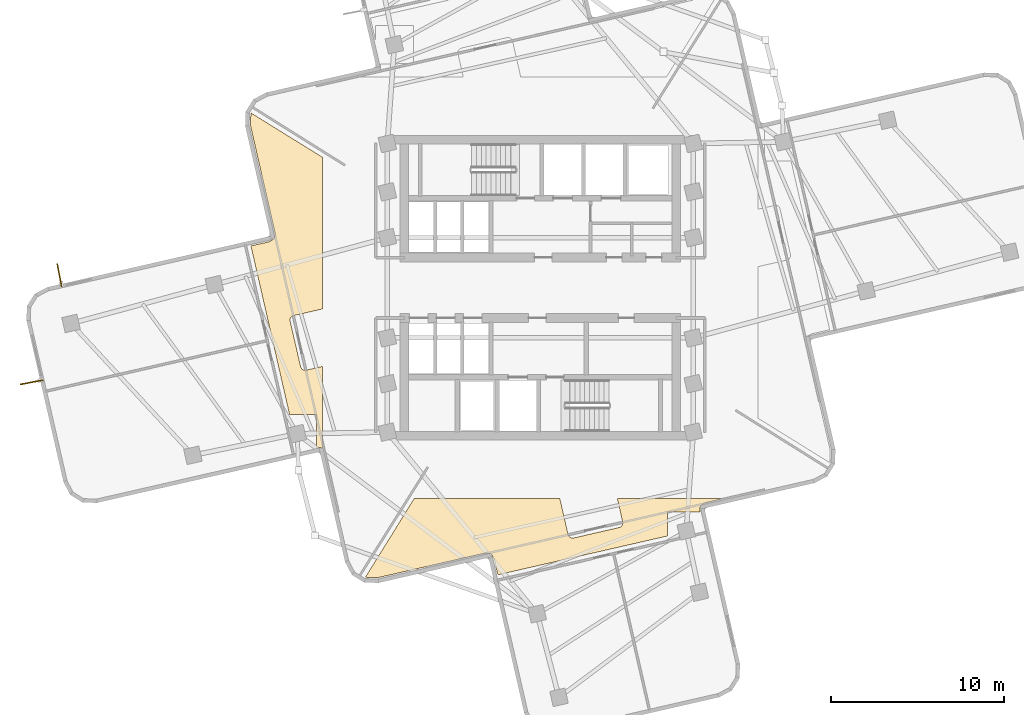
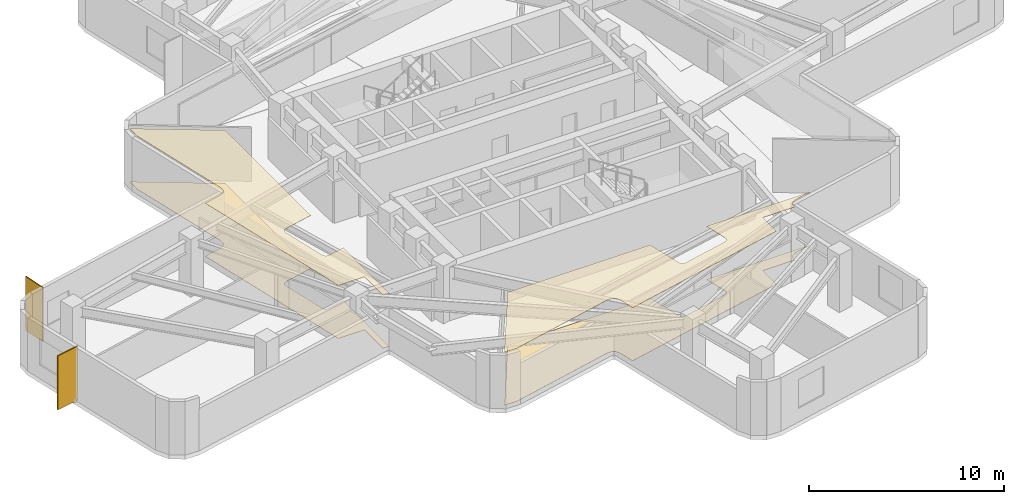
# One storey, part 6 of 8: 4 coverings, 2 shading devices.
"""IFC4 building model written with IfcOpenShell, lengths in metres."""

from ifc_helpers import new_model, si_unit, direction, frame, origin, origin_2d, place, context, subcontext, project, spatial, polyline, rectangle, outline, extrude, material, layer, layer_set, type_object, element, save


model = new_model("IFC4")

# Units and contexts
model_context = context("Model", 3, precision=1e-05, world=origin(), true_north=direction((0.0, 1.0)))
body_context = subcontext(model_context, "Body", "Model", "MODEL_VIEW")
ifc_project = project(units=[si_unit("LENGTHUNIT", "METRE"), si_unit("AREAUNIT", "SQUARE_METRE"), si_unit("VOLUMEUNIT", "CUBIC_METRE"), si_unit("PLANEANGLEUNIT", "RADIAN"), si_unit("MASSUNIT", "GRAM", prefix="KILO")], contexts=[model_context])

# Site, building, storey
site_placement = place(None, origin())
site = spatial("IfcSite", under=ifc_project, at=site_placement, CompositionType="ELEMENT")
building_placement = place(site_placement, origin())
building = spatial("IfcBuilding", under=site, at=building_placement, Name="Solmarez Civic Tower", CompositionType="ELEMENT")
storey_placement = place(building_placement, frame((0.0, 0.0, 123.47998046875)))
storey = spatial("IfcBuildingStorey", under=building, at=storey_placement, Name="L32", CompositionType="ELEMENT", Elevation=123.47998046875)

# Coverings
ifc_material_1 = material(Name="Perforated Mineral-Fibre Acoustic Ceiling")
ifc_layer_1 = layer(ifc_material_1, 0.02490234375)
ifc_layer_set_1 = layer_set([ifc_layer_1], Name="Perforated Mineral-Fibre Acoustic Ceiling")
covering_type_1 = type_object("IfcCoveringType", Name="COV-CEIL-ACOUSTIC", PredefinedType="CEILING", material=ifc_layer_set_1)
covering_1_placement = place(storey_placement, frame((0.0, 0.0, 3.31494140625)))
element("IfcCovering", 1, at=covering_1_placement, inside=storey, type_object=covering_type_1, Name="L32 Suspended Acoustic Ceiling 2", PredefinedType="CEILING", context=body_context, shape_type="SweptSolid", body=[
    extrude(outline(polyline([(-3.26708984375, -15.367919921875), (-3.25390625, -15.364013671875), (-3.23095703125, -15.360107421875), (-3.20703125, -15.35888671875), (-3.193115234375, -15.35888671875), (-3.18505859375, -15.35888671875), (-3.012939453125, -15.364990234375), (-2.993896484375, -15.366943359375), (-2.98193359375, -15.367919921875), (-2.97509765625, -15.368896484375), (-2.952880859375, -15.3740234375), (-2.945068359375, -15.3759765625), (-2.927978515625, -15.381103515625), (-2.910888671875, -15.386962890625), (-2.89697265625, -15.39306640625), (-2.87890625, -15.402099609375), (-2.862060546875, -15.412109375), (-2.85595703125, -15.416015625), (-2.8369140625, -15.429931640625), (-2.8310546875, -15.43505859375), (-2.824951171875, -15.43994140625), (-2.81005859375, -15.452880859375), (-2.797119140625, -15.468017578125), (-2.7919921875, -15.47412109375), (-2.778076171875, -15.492919921875), (-2.77001953125, -15.5048828125), (-2.759033203125, -15.52392578125), (-2.677978515625, -15.676025390625), (-2.669921875, -15.69189453125), (-2.6669921875, -15.698974609375), (-2.659912109375, -15.716064453125), (-2.657958984375, -15.721923828125), (-2.655029296875, -15.73193359375), (-2.653076171875, -15.739013671875), (-2.65087890625, -15.75), (-2.455078125, -16.60693359375), (7.344970703125, -14.363037109375), (7.344970703125, -12.964111328125), (9.23388671875, -12.962890625), (9.23388671875, -12.9560546875), (9.23388671875, -12.947998046875), (9.239990234375, -12.77587890625), (9.241943359375, -12.7529296875), (9.242919921875, -12.748046875), (9.243896484375, -12.741943359375), (9.24609375, -12.72509765625), (9.25, -12.708984375), (9.251953125, -12.701904296875), (9.261962890625, -12.675048828125), (9.264892578125, -12.66796875), (9.26806640625, -12.660888671875), (9.277099609375, -12.64306640625), (9.287109375, -12.6259765625), (9.291015625, -12.6201171875), (9.304931640625, -12.60107421875), (9.31005859375, -12.594970703125), (9.31494140625, -12.589111328125), (9.327880859375, -12.573974609375), (9.343017578125, -12.56103515625), (9.34912109375, -12.555908203125), (9.367919921875, -12.5419921875), (9.3740234375, -12.5380859375), (9.386962890625, -12.530029296875), (9.39404296875, -12.52587890625), (9.39990234375, -12.52294921875), (9.552001953125, -12.44189453125), (9.556884765625, -12.43896484375), (9.56298828125, -12.43603515625), (9.591064453125, -12.424072265625), (9.596923828125, -12.422119140625), (9.60693359375, -12.4189453125), (9.614013671875, -12.4169921875), (9.625, -12.4150390625), (10.56201171875, -12.199951171875), (4.45703125, -12.199951171875), (4.764892578125, -13.548095703125), (4.76708984375, -13.553955078125), (4.76806640625, -13.55908203125), (4.77099609375, -13.580078125), (4.77197265625, -13.60205078125), (4.77197265625, -13.611083984375), (4.77099609375, -13.633056640625), (4.76806640625, -13.654052734375), (4.76708984375, -13.658935546875), (4.76611328125, -13.6640625), (4.759033203125, -13.69091796875), (4.756103515625, -13.699951171875), (4.7470703125, -13.721923828125), (4.736083984375, -13.742919921875), (4.73291015625, -13.748046875), (4.721923828125, -13.763916015625), (4.7109375, -13.778076171875), (4.7060546875, -13.783935546875), (4.697998046875, -13.7939453125), (4.68408203125, -13.80810546875), (4.66796875, -13.821044921875), (4.652099609375, -13.8330078125), (4.64404296875, -13.837890625), (4.615966796875, -13.85205078125), (4.60693359375, -13.85595703125), (4.60009765625, -13.85888671875), (4.594970703125, -13.861083984375), (4.5791015625, -13.866943359375), (4.56201171875, -13.87109375), (1.929931640625, -14.47412109375), (1.924072265625, -14.47607421875), (1.9189453125, -14.47705078125), (1.89794921875, -14.47998046875), (1.8759765625, -14.48095703125), (1.866943359375, -14.48095703125), (1.844970703125, -14.47998046875), (1.823974609375, -14.47705078125), (1.819091796875, -14.47607421875), (1.81396484375, -14.47509765625), (1.787109375, -14.468017578125), (1.778076171875, -14.465087890625), (1.756103515625, -14.4560546875), (1.735107421875, -14.445068359375), (1.72998046875, -14.44189453125), (1.714111328125, -14.430908203125), (1.699951171875, -14.419921875), (1.694091796875, -14.4150390625), (1.68408203125, -14.406982421875), (1.669921875, -14.39306640625), (1.656982421875, -14.376953125), (1.64501953125, -14.361083984375), (1.639892578125, -14.35302734375), (1.6259765625, -14.324951171875), (1.6220703125, -14.31591796875), (1.618896484375, -14.30908203125), (1.616943359375, -14.303955078125), (1.611083984375, -14.2880859375), (1.60693359375, -14.27099609375), (1.132080078125, -12.199951171875), (-7.301025390625, -12.199951171875), (-10.116943359375, -16.742919921875), (-10.111083984375, -16.74609375), (-9.403076171875, -16.77294921875), (-3.26708984375, -15.367919921875)])), origin(), (0.0, 0.0, 1.0), 0.025146484375),
])
covering_2_placement = place(storey_placement, frame((0.0, 0.0, 3.31494140625)))
element("IfcCovering", 2, at=covering_2_placement, inside=storey, type_object=covering_type_1, Name="L32 Suspended Acoustic Ceiling 4", PredefinedType="CEILING", context=body_context, shape_type="SweptSolid", body=[
    extrude(outline(polyline([(-15.367919921875, 3.26708984375), (-15.364013671875, 3.25390625), (-15.360107421875, 3.23095703125), (-15.35888671875, 3.20703125), (-15.35888671875, 3.193115234375), (-15.35888671875, 3.18505859375), (-15.364990234375, 3.012939453125), (-15.366943359375, 2.993896484375), (-15.367919921875, 2.98193359375), (-15.368896484375, 2.97509765625), (-15.3740234375, 2.952880859375), (-15.3759765625, 2.945068359375), (-15.381103515625, 2.927978515625), (-15.386962890625, 2.910888671875), (-15.39306640625, 2.89697265625), (-15.402099609375, 2.87890625), (-15.412109375, 2.862060546875), (-15.416015625, 2.85595703125), (-15.429931640625, 2.8369140625), (-15.43505859375, 2.8310546875), (-15.43994140625, 2.824951171875), (-15.452880859375, 2.81005859375), (-15.468017578125, 2.797119140625), (-15.47412109375, 2.7919921875), (-15.492919921875, 2.778076171875), (-15.5048828125, 2.77001953125), (-15.52392578125, 2.759033203125), (-15.676025390625, 2.677978515625), (-15.69189453125, 2.669921875), (-15.698974609375, 2.6669921875), (-15.716064453125, 2.659912109375), (-15.721923828125, 2.657958984375), (-15.73193359375, 2.655029296875), (-15.739013671875, 2.653076171875), (-15.75, 2.65087890625), (-16.742919921875, 2.423095703125), (-14.506103515625, -7.344970703125), (-12.964111328125, -7.344970703125), (-12.962890625, -9.23388671875), (-12.9560546875, -9.23388671875), (-12.947998046875, -9.23388671875), (-12.77587890625, -9.239990234375), (-12.7529296875, -9.241943359375), (-12.748046875, -9.242919921875), (-12.741943359375, -9.243896484375), (-12.72509765625, -9.24609375), (-12.708984375, -9.25), (-12.701904296875, -9.251953125), (-12.675048828125, -9.261962890625), (-12.66796875, -9.264892578125), (-12.660888671875, -9.26806640625), (-12.64306640625, -9.277099609375), (-12.6259765625, -9.287109375), (-12.6201171875, -9.291015625), (-12.60009765625, -9.305908203125), (-12.60009765625, -4.548095703125), (-13.548095703125, -4.764892578125), (-13.553955078125, -4.76708984375), (-13.55908203125, -4.76806640625), (-13.580078125, -4.77099609375), (-13.60205078125, -4.77197265625), (-13.611083984375, -4.77197265625), (-13.633056640625, -4.77099609375), (-13.654052734375, -4.76806640625), (-13.658935546875, -4.76708984375), (-13.6640625, -4.76611328125), (-13.69091796875, -4.759033203125), (-13.699951171875, -4.756103515625), (-13.721923828125, -4.7470703125), (-13.742919921875, -4.736083984375), (-13.748046875, -4.73291015625), (-13.763916015625, -4.721923828125), (-13.778076171875, -4.7109375), (-13.783935546875, -4.7060546875), (-13.7939453125, -4.697998046875), (-13.80810546875, -4.68408203125), (-13.821044921875, -4.66796875), (-13.8330078125, -4.652099609375), (-13.837890625, -4.64404296875), (-13.85205078125, -4.615966796875), (-13.85595703125, -4.60693359375), (-13.85888671875, -4.60009765625), (-13.861083984375, -4.594970703125), (-13.866943359375, -4.5791015625), (-13.87109375, -4.56201171875), (-14.47412109375, -1.929931640625), (-14.47607421875, -1.924072265625), (-14.47705078125, -1.9189453125), (-14.47998046875, -1.89794921875), (-14.48095703125, -1.8759765625), (-14.48095703125, -1.866943359375), (-14.47998046875, -1.844970703125), (-14.47705078125, -1.823974609375), (-14.47607421875, -1.819091796875), (-14.47509765625, -1.81396484375), (-14.468017578125, -1.787109375), (-14.465087890625, -1.778076171875), (-14.4560546875, -1.756103515625), (-14.445068359375, -1.735107421875), (-14.44189453125, -1.72998046875), (-14.430908203125, -1.714111328125), (-14.419921875, -1.699951171875), (-14.4150390625, -1.694091796875), (-14.406982421875, -1.68408203125), (-14.39306640625, -1.669921875), (-14.376953125, -1.656982421875), (-14.361083984375, -1.64501953125), (-14.35302734375, -1.639892578125), (-14.324951171875, -1.6259765625), (-14.31591796875, -1.6220703125), (-14.30908203125, -1.618896484375), (-14.303955078125, -1.616943359375), (-14.2880859375, -1.611083984375), (-14.27099609375, -1.60693359375), (-12.60009765625, -1.222900390625), (-12.60009765625, 7.550048828125), (-16.742919921875, 10.116943359375), (-16.74609375, 10.111083984375), (-16.77294921875, 9.403076171875), (-15.367919921875, 3.26708984375)])), origin(), (0.0, 0.0, 1.0), 0.025146484375),
])
ifc_material_2 = material(Name="Polished Tropical Stone Terrazzo Flooring", Category="masonry")
ifc_layer_2 = layer(ifc_material_2, 0.02001953125)
ifc_layer_set_2 = layer_set([ifc_layer_2], Name="Polished Tropical Stone Terrazzo Flooring")
covering_type_2 = type_object("IfcCoveringType", Name="COV-FLOOR-TERRAZZO", PredefinedType="FLOORING", material=ifc_layer_set_2)
covering_3_placement = place(storey_placement, origin())
element("IfcCovering", 3, at=covering_3_placement, inside=storey, type_object=covering_type_2, Name="L32 Terrazzo Floor Finish 2", PredefinedType="FLOORING", context=body_context, shape_type="SweptSolid", body=[
    extrude(outline(polyline([(-3.26708984375, -15.367919921875), (-3.25390625, -15.364013671875), (-3.23095703125, -15.360107421875), (-3.20703125, -15.35888671875), (-3.193115234375, -15.35888671875), (-3.18505859375, -15.35888671875), (-3.012939453125, -15.364990234375), (-2.993896484375, -15.366943359375), (-2.98193359375, -15.367919921875), (-2.97509765625, -15.368896484375), (-2.952880859375, -15.3740234375), (-2.945068359375, -15.3759765625), (-2.927978515625, -15.381103515625), (-2.910888671875, -15.386962890625), (-2.89697265625, -15.39306640625), (-2.87890625, -15.402099609375), (-2.862060546875, -15.412109375), (-2.85595703125, -15.416015625), (-2.8369140625, -15.429931640625), (-2.8310546875, -15.43505859375), (-2.824951171875, -15.43994140625), (-2.81005859375, -15.452880859375), (-2.797119140625, -15.468017578125), (-2.7919921875, -15.47412109375), (-2.778076171875, -15.492919921875), (-2.77001953125, -15.5048828125), (-2.759033203125, -15.52392578125), (-2.677978515625, -15.676025390625), (-2.669921875, -15.69189453125), (-2.6669921875, -15.698974609375), (-2.659912109375, -15.716064453125), (-2.657958984375, -15.721923828125), (-2.655029296875, -15.73193359375), (-2.653076171875, -15.739013671875), (-2.65087890625, -15.75), (-2.455078125, -16.60693359375), (7.344970703125, -14.363037109375), (7.344970703125, -12.964111328125), (9.23388671875, -12.962890625), (9.23388671875, -12.9560546875), (9.23388671875, -12.947998046875), (9.239990234375, -12.77587890625), (9.241943359375, -12.7529296875), (9.242919921875, -12.748046875), (9.243896484375, -12.741943359375), (9.24609375, -12.72509765625), (9.25, -12.708984375), (9.251953125, -12.701904296875), (9.261962890625, -12.675048828125), (9.264892578125, -12.66796875), (9.26806640625, -12.660888671875), (9.277099609375, -12.64306640625), (9.287109375, -12.6259765625), (9.291015625, -12.6201171875), (9.304931640625, -12.60107421875), (9.31005859375, -12.594970703125), (9.31494140625, -12.589111328125), (9.327880859375, -12.573974609375), (9.343017578125, -12.56103515625), (9.34912109375, -12.555908203125), (9.367919921875, -12.5419921875), (9.3740234375, -12.5380859375), (9.386962890625, -12.530029296875), (9.39404296875, -12.52587890625), (9.39990234375, -12.52294921875), (9.552001953125, -12.44189453125), (9.556884765625, -12.43896484375), (9.56298828125, -12.43603515625), (9.591064453125, -12.424072265625), (9.596923828125, -12.422119140625), (9.60693359375, -12.4189453125), (9.614013671875, -12.4169921875), (9.625, -12.4150390625), (10.56201171875, -12.199951171875), (4.45703125, -12.199951171875), (4.764892578125, -13.548095703125), (4.76708984375, -13.553955078125), (4.76806640625, -13.55908203125), (4.77099609375, -13.580078125), (4.77197265625, -13.60205078125), (4.77197265625, -13.611083984375), (4.77099609375, -13.633056640625), (4.76806640625, -13.654052734375), (4.76708984375, -13.658935546875), (4.76611328125, -13.6640625), (4.759033203125, -13.69091796875), (4.756103515625, -13.699951171875), (4.7470703125, -13.721923828125), (4.736083984375, -13.742919921875), (4.73291015625, -13.748046875), (4.721923828125, -13.763916015625), (4.7109375, -13.778076171875), (4.7060546875, -13.783935546875), (4.697998046875, -13.7939453125), (4.68408203125, -13.80810546875), (4.66796875, -13.821044921875), (4.652099609375, -13.8330078125), (4.64404296875, -13.837890625), (4.615966796875, -13.85205078125), (4.60693359375, -13.85595703125), (4.60009765625, -13.85888671875), (4.594970703125, -13.861083984375), (4.5791015625, -13.866943359375), (4.56201171875, -13.87109375), (1.929931640625, -14.47412109375), (1.924072265625, -14.47607421875), (1.9189453125, -14.47705078125), (1.89794921875, -14.47998046875), (1.8759765625, -14.48095703125), (1.866943359375, -14.48095703125), (1.844970703125, -14.47998046875), (1.823974609375, -14.47705078125), (1.819091796875, -14.47607421875), (1.81396484375, -14.47509765625), (1.787109375, -14.468017578125), (1.778076171875, -14.465087890625), (1.756103515625, -14.4560546875), (1.735107421875, -14.445068359375), (1.72998046875, -14.44189453125), (1.714111328125, -14.430908203125), (1.699951171875, -14.419921875), (1.694091796875, -14.4150390625), (1.68408203125, -14.406982421875), (1.669921875, -14.39306640625), (1.656982421875, -14.376953125), (1.64501953125, -14.361083984375), (1.639892578125, -14.35302734375), (1.6259765625, -14.324951171875), (1.6220703125, -14.31591796875), (1.618896484375, -14.30908203125), (1.616943359375, -14.303955078125), (1.611083984375, -14.2880859375), (1.60693359375, -14.27099609375), (1.132080078125, -12.199951171875), (-7.301025390625, -12.199951171875), (-10.116943359375, -16.742919921875), (-10.111083984375, -16.74609375), (-9.403076171875, -16.77294921875), (-3.26708984375, -15.367919921875)])), origin(), (0.0, 0.0, 1.0), 0.02001953125),
])
covering_4_placement = place(storey_placement, origin())
element("IfcCovering", 4, at=covering_4_placement, inside=storey, type_object=covering_type_2, Name="L32 Terrazzo Floor Finish 4", PredefinedType="FLOORING", context=body_context, shape_type="SweptSolid", body=[
    extrude(outline(polyline([(-15.367919921875, 3.26708984375), (-15.364013671875, 3.25390625), (-15.360107421875, 3.23095703125), (-15.35888671875, 3.20703125), (-15.35888671875, 3.193115234375), (-15.35888671875, 3.18505859375), (-15.364990234375, 3.012939453125), (-15.366943359375, 2.993896484375), (-15.367919921875, 2.98193359375), (-15.368896484375, 2.97509765625), (-15.3740234375, 2.952880859375), (-15.3759765625, 2.945068359375), (-15.381103515625, 2.927978515625), (-15.386962890625, 2.910888671875), (-15.39306640625, 2.89697265625), (-15.402099609375, 2.87890625), (-15.412109375, 2.862060546875), (-15.416015625, 2.85595703125), (-15.429931640625, 2.8369140625), (-15.43505859375, 2.8310546875), (-15.43994140625, 2.824951171875), (-15.452880859375, 2.81005859375), (-15.468017578125, 2.797119140625), (-15.47412109375, 2.7919921875), (-15.492919921875, 2.778076171875), (-15.5048828125, 2.77001953125), (-15.52392578125, 2.759033203125), (-15.676025390625, 2.677978515625), (-15.69189453125, 2.669921875), (-15.698974609375, 2.6669921875), (-15.716064453125, 2.659912109375), (-15.721923828125, 2.657958984375), (-15.73193359375, 2.655029296875), (-15.739013671875, 2.653076171875), (-15.75, 2.65087890625), (-16.742919921875, 2.423095703125), (-14.506103515625, -7.344970703125), (-12.964111328125, -7.344970703125), (-12.962890625, -9.23388671875), (-12.9560546875, -9.23388671875), (-12.947998046875, -9.23388671875), (-12.77587890625, -9.239990234375), (-12.7529296875, -9.241943359375), (-12.748046875, -9.242919921875), (-12.741943359375, -9.243896484375), (-12.72509765625, -9.24609375), (-12.708984375, -9.25), (-12.701904296875, -9.251953125), (-12.675048828125, -9.261962890625), (-12.66796875, -9.264892578125), (-12.660888671875, -9.26806640625), (-12.64306640625, -9.277099609375), (-12.6259765625, -9.287109375), (-12.6201171875, -9.291015625), (-12.60009765625, -9.305908203125), (-12.60009765625, -4.548095703125), (-13.548095703125, -4.764892578125), (-13.553955078125, -4.76708984375), (-13.55908203125, -4.76806640625), (-13.580078125, -4.77099609375), (-13.60205078125, -4.77197265625), (-13.611083984375, -4.77197265625), (-13.633056640625, -4.77099609375), (-13.654052734375, -4.76806640625), (-13.658935546875, -4.76708984375), (-13.6640625, -4.76611328125), (-13.69091796875, -4.759033203125), (-13.699951171875, -4.756103515625), (-13.721923828125, -4.7470703125), (-13.742919921875, -4.736083984375), (-13.748046875, -4.73291015625), (-13.763916015625, -4.721923828125), (-13.778076171875, -4.7109375), (-13.783935546875, -4.7060546875), (-13.7939453125, -4.697998046875), (-13.80810546875, -4.68408203125), (-13.821044921875, -4.66796875), (-13.8330078125, -4.652099609375), (-13.837890625, -4.64404296875), (-13.85205078125, -4.615966796875), (-13.85595703125, -4.60693359375), (-13.85888671875, -4.60009765625), (-13.861083984375, -4.594970703125), (-13.866943359375, -4.5791015625), (-13.87109375, -4.56201171875), (-14.47412109375, -1.929931640625), (-14.47607421875, -1.924072265625), (-14.47705078125, -1.9189453125), (-14.47998046875, -1.89794921875), (-14.48095703125, -1.8759765625), (-14.48095703125, -1.866943359375), (-14.47998046875, -1.844970703125), (-14.47705078125, -1.823974609375), (-14.47607421875, -1.819091796875), (-14.47509765625, -1.81396484375), (-14.468017578125, -1.787109375), (-14.465087890625, -1.778076171875), (-14.4560546875, -1.756103515625), (-14.445068359375, -1.735107421875), (-14.44189453125, -1.72998046875), (-14.430908203125, -1.714111328125), (-14.419921875, -1.699951171875), (-14.4150390625, -1.694091796875), (-14.406982421875, -1.68408203125), (-14.39306640625, -1.669921875), (-14.376953125, -1.656982421875), (-14.361083984375, -1.64501953125), (-14.35302734375, -1.639892578125), (-14.324951171875, -1.6259765625), (-14.31591796875, -1.6220703125), (-14.30908203125, -1.618896484375), (-14.303955078125, -1.616943359375), (-14.2880859375, -1.611083984375), (-14.27099609375, -1.60693359375), (-12.60009765625, -1.222900390625), (-12.60009765625, 7.550048828125), (-16.742919921875, 10.116943359375), (-16.74609375, 10.111083984375), (-16.77294921875, 9.403076171875), (-15.367919921875, 3.26708984375)])), origin(), (0.0, 0.0, 1.0), 0.02001953125),
])

# Shading devices
ifc_material_3 = material(Name="Bronze Anodised Aluminium EN AW-6063 T6", Category="aluminium")
ifc_layer_3 = layer(ifc_material_3, 0.06005859375)
ifc_layer_set_3 = layer_set([ifc_layer_3], Name="Bronze Anodised Aluminium EN AW-6063 T6")
shading_device_type = type_object("IfcShadingDeviceType", Name="FIN-BRONZE-Z34", PredefinedType="USERDEFINED", material=ifc_layer_set_3)
for number, where, z_axis, x_axis, name in (
    (5, (-29.43701171875, -5.466064453125, -0.0400390625), (0.0, 0.0, 1.0), (-0.981743558873, -0.19020931789, 0.0), "L32 Anodised Bronze Solar Fin FIN-L32-01"),
    (6, (-27.822998046875, 0.720947265625, -0.0400390625), (0.0, 0.0, 1.0), (-0.190192183203, 0.981746878502, 0.0), "L32 Anodised Bronze Solar Fin FIN-L32-02"),
):
    element("IfcShadingDevice", number, at=place(storey_placement, frame(where, z_axis=z_axis, x_axis=x_axis)), inside=storey, type_object=shading_device_type, Name=name, ObjectType="FIN", PredefinedType="USERDEFINED", context=body_context, shape_type="SweptSolid", body=[
        extrude(rectangle(XDim=1.35009765625, YDim=0.06005859375, at=origin_2d()), origin(), (0.0, 0.0, 1.0), 3.3798828125),
    ])

save(model, "model.ifc")
